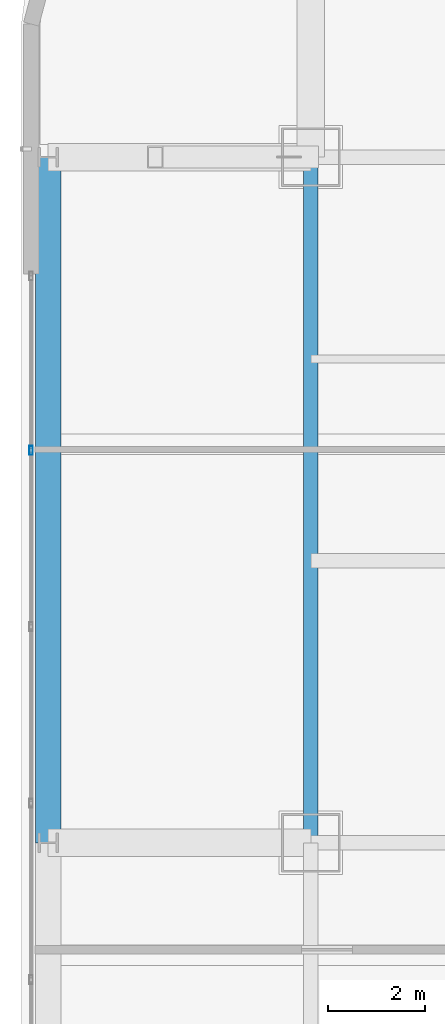
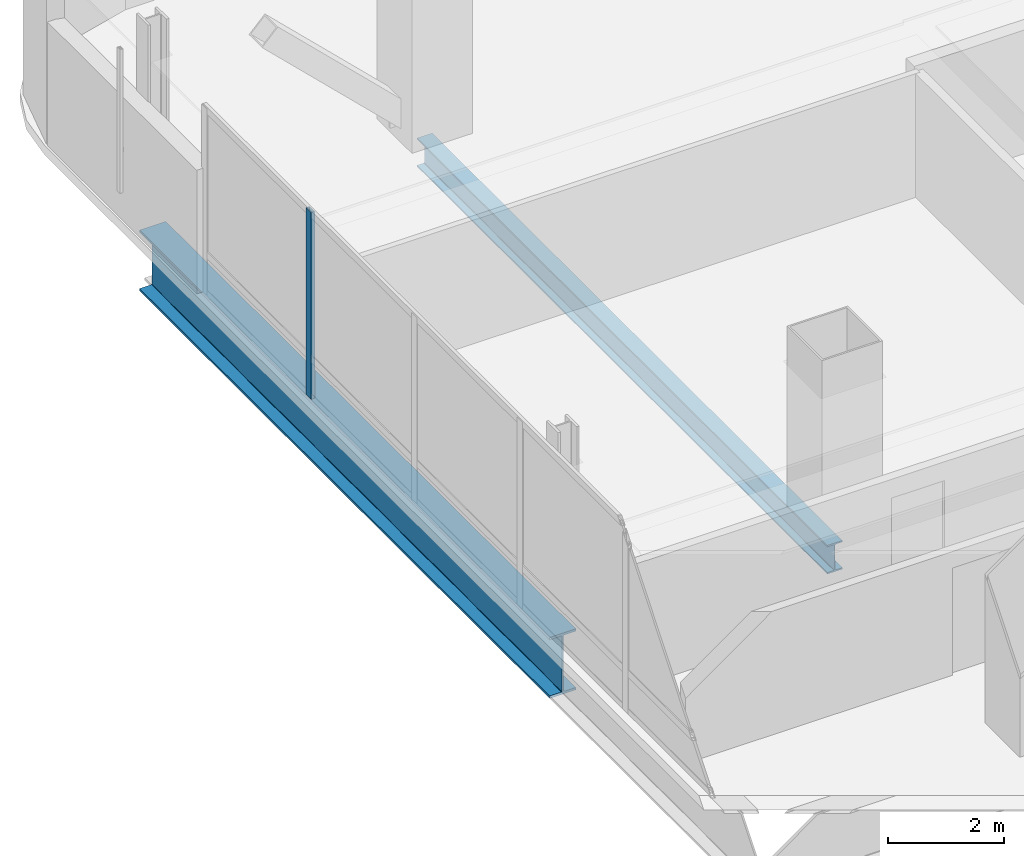
# One storey, part 12 of 51: 2 beams, 1 member, 1 element without a shape of its own.
"""IFC4 building model written with IfcOpenShell, lengths in metres."""

from ifc_helpers import new_model, si_unit, direction, frame, origin, origin_2d, place, context, subcontext, project, spatial, hollow_rectangle, i_section, extrude, material, material_profile, profile_set, type_object, element, aggregate, save


model = new_model("IFC4")

# Units and contexts
model_context = context("Model", 3, precision=1e-05, world=origin(), true_north=direction((0.0, 1.0)))
body_context = subcontext(model_context, "Body", "Model", "MODEL_VIEW")
ifc_project = project(units=[si_unit("LENGTHUNIT", "METRE"), si_unit("AREAUNIT", "SQUARE_METRE"), si_unit("VOLUMEUNIT", "CUBIC_METRE"), si_unit("PLANEANGLEUNIT", "RADIAN"), si_unit("MASSUNIT", "GRAM", prefix="KILO")], contexts=[model_context])

# Site, building, storey
site_placement = place(None, origin())
site = spatial("IfcSite", under=ifc_project, at=site_placement, CompositionType="ELEMENT")
building_placement = place(site_placement, origin())
building = spatial("IfcBuilding", under=site, at=building_placement, Name="Punatoya Terracotta Tower", CompositionType="ELEMENT")
storey_placement = place(building_placement, frame((0.0, 0.0, 313.199951171875)))
storey = spatial("IfcBuildingStorey", under=building, at=storey_placement, Name="L74", CompositionType="ELEMENT", Elevation=313.199951171875)

# Beams
ifc_material_1 = material(Name="Steel S355", Category="steel")
ifc_material_profile_1 = material_profile(ifc_material_1, i_section(OverallWidth=0.300048828125, OverallDepth=0.60009765625, WebThickness=0.015380859375, FlangeThickness=0.030029296875, FilletRadius=0.01806640625, at=origin_2d()))
ifc_profile_set_1 = profile_set([ifc_material_profile_1], Name="Steel S355")
beam_type_1 = type_object("IfcBeamType", Name="BM-PRI-600", PredefinedType="BEAM", material=ifc_profile_set_1)
beam_1_placement = place(storey_placement, frame((-19.10009765625, 3.39990234375, -0.5), z_axis=(0.0, 1.0, 0.0), x_axis=(-1.0, 0.0, 0.0)))
element("IfcBeam", 1, at=beam_1_placement, inside=storey, type_object=beam_type_1, Name="BM-L74-RG-W3", PredefinedType="BEAM", context=body_context, shape_type="SweptSolid", body=[
    extrude(i_section(OverallWidth=0.300048828125, OverallDepth=0.60009765625, WebThickness=0.015380859375, FlangeThickness=0.030029296875, FilletRadius=0.01806640625, at=origin_2d()), origin(), (0.0, 0.0, 1.0), 14.10009765625),
])
ifc_material_2 = material(Name="Steel S460", Category="steel")
ifc_material_profile_2 = material_profile(ifc_material_2, i_section(OverallWidth=0.52001953125, OverallDepth=1.280029296875, WebThickness=0.031982421875, FlangeThickness=0.050048828125, FilletRadius=0.01806640625, at=origin_2d()))
ifc_profile_set_2 = profile_set([ifc_material_profile_2], Name="Steel S460")
beam_type_2 = type_object("IfcBeamType", Name="BM-TG-NCK", PredefinedType="BEAM", material=ifc_profile_set_2)
beam_2_placement = place(storey_placement, frame((-24.5, 3.39990234375, -0.83984375), z_axis=(0.0, 1.0, 0.0), x_axis=(-1.0, 0.0, 0.0)))
element("IfcBeam", 2, at=beam_2_placement, inside=storey, type_object=beam_type_2, Name="BM-L74-PER-W3", PredefinedType="BEAM", context=body_context, shape_type="SweptSolid", body=[
    extrude(i_section(OverallWidth=0.52001953125, OverallDepth=1.280029296875, WebThickness=0.031982421875, FlangeThickness=0.050048828125, FilletRadius=0.01806640625, at=origin_2d()), origin(), (0.0, 0.0, 1.0), 14.10009765625),
])

# Curtain wall, member
ifc_material_3 = material(Name="Aluminium 6063-T6 + Double Low-E Glass", Category="aluminium")
curtain_wall_type = type_object("IfcCurtainWallType", Name="CW-M3", PredefinedType="NOTDEFINED", material=ifc_material_3)
curtain_wall_placement = place(storey_placement, origin())
curtain_wall = element("IfcCurtainWall", 3, at=curtain_wall_placement, inside=storey, type_object=curtain_wall_type, Name="L74 Curtain Wall CW-L74-W13-1", PredefinedType="NOTDEFINED")
ifc_material_4 = material(Name="Aluminium 6063-T6", Category="aluminium")
ifc_material_profile_3 = material_profile(ifc_material_4, hollow_rectangle(XDim=0.070068359375, YDim=0.179931640625, WallThickness=0.00390625, at=origin_2d()))
ifc_profile_set_3 = profile_set([ifc_material_profile_3], Name="Aluminium 6063-T6")
member_type = type_object("IfcMemberType", Name="CW-MUL-M3", PredefinedType="MULLION", material=ifc_profile_set_3)
member_placement = place(storey_placement, frame((-24.85009765625, 11.471435546875, 0.0), z_axis=(0.0, 0.0, 1.0), x_axis=(1.0, 0.0, 0.0)))
member = element("IfcMember", 4, at=member_placement, type_object=member_type, Name="CW-L74-W13-1 Mullion 01", PredefinedType="MULLION", context=body_context, shape_type="SweptSolid", body=[
    extrude(hollow_rectangle(XDim=0.070068359375, YDim=0.179931640625, WallThickness=0.00390625, at=origin_2d()), origin(), (0.0, 0.0, 1.0), 3.920166015625),
])
aggregate(curtain_wall, [member])

save(model, "model.ifc")
